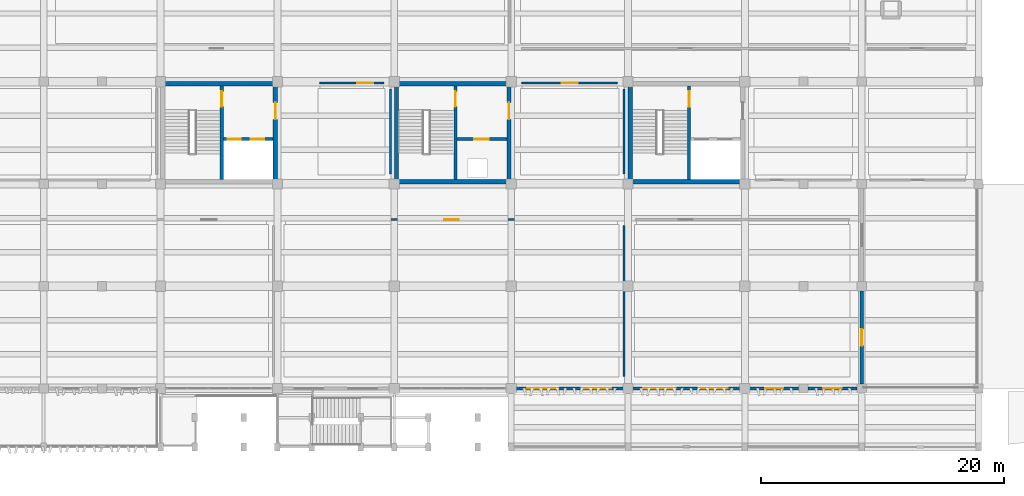
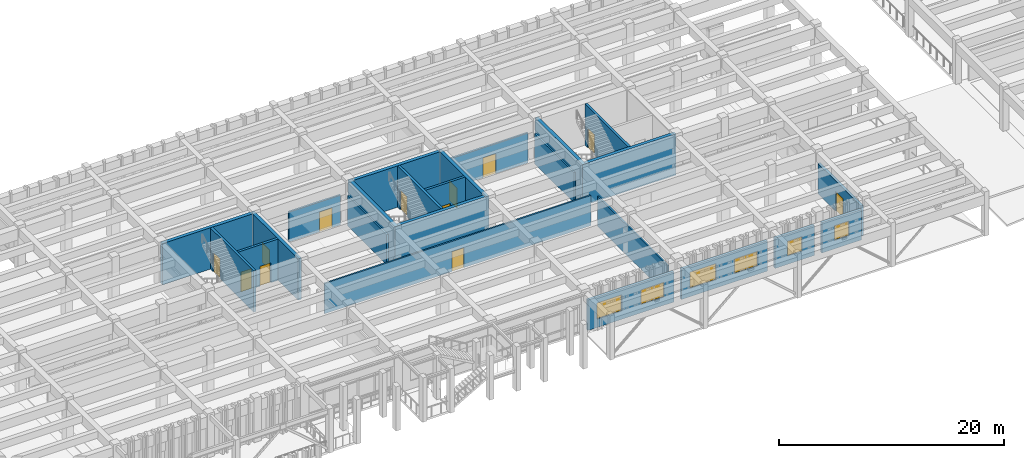
# One storey, part 66 of 86: 24 walls, 12 doors, 6 windows, 18 openings.
"""IFC4 building model written with IfcOpenShell, lengths in metres."""

import ifcopenshell
import ifcopenshell.guid

model = None  # the IFC model being written
_history = None  # IfcOwnerHistory: only IFC2X3 demands one
_inside = {}  # id of a spatial element -> (the spatial element, [elements in it])
_under = {}  # id of a project, library or spatial element -> (it, [spatial elements below it])
_declared = {}  # id of a project -> (the project, [libraries it declares])
_typed = {}  # id of a type object -> (the type object, [elements of that type])
_made_of = {}  # id of a material, layer set ... -> (it, [elements and type objects made of it])


def new_model(schema):
    """Start an empty IFC model of exactly this schema.

    Asked for "IFC4X3", IfcOpenShell would pick the latest addendum, in which some entities
    have other attributes; the version numbers below select the first issue.
    IFC2X3 requires an IfcOwnerHistory on every rooted entity: one is made here for all.
    """
    global model, _history
    if schema == "IFC4X3":
        model = ifcopenshell.file(schema_version=(4, 3, 0, 0))
    else:
        model = ifcopenshell.file(schema=schema)
    _inside.clear()
    _under.clear()
    _declared.clear()
    _typed.clear()
    _made_of.clear()
    _history = None
    if model.schema == "IFC2X3":
        org = make("IfcOrganization", Name="unknown")
        user = make(
            "IfcPersonAndOrganization",
            ThePerson=make("IfcPerson", FamilyName="unknown"),
            TheOrganization=org,
        )
        app = make(
            "IfcApplication",
            ApplicationDeveloper=org,
            Version="unknown",
            ApplicationFullName="unknown",
            ApplicationIdentifier="unknown",
        )
        _history = make(
            "IfcOwnerHistory",
            OwningUser=user,
            OwningApplication=app,
            ChangeAction="ADDED",
            CreationDate=0,
        )
    return model


def make(cls, **values):
    """One entity of the class cls with the attributes given. An attribute that is None is left unset."""
    return model.create_entity(
        cls, **{name: value for name, value in values.items() if value is not None}
    )


def rooted(cls, **values):
    """An entity with a GlobalId (a new one), such as an element, a storey or a relation."""
    return make(cls, GlobalId=ifcopenshell.guid.new(), OwnerHistory=_history, **values)


def si_unit(unit_type, name, prefix=None):
    """IfcSIUnit, for example si_unit("LENGTHUNIT", "METRE", prefix="MILLI")."""
    return make("IfcSIUnit", UnitType=unit_type, Prefix=prefix, Name=name)


def assignment(units):
    """IfcUnitAssignment: the units of a project."""
    return None if units is None else make("IfcUnitAssignment", Units=units)


def point(xyz):
    """IfcCartesianPoint."""
    return None if xyz is None else make("IfcCartesianPoint", Coordinates=xyz)


def direction(xyz):
    """IfcDirection."""
    return None if xyz is None else make("IfcDirection", DirectionRatios=xyz)


def frame(location, z_axis=None, x_axis=None):
    """IfcAxis2Placement3D, a coordinate frame: its origin and axes. An axis left out is left unset."""
    return make(
        "IfcAxis2Placement3D",
        Location=point(location),
        Axis=direction(z_axis),
        RefDirection=direction(x_axis),
    )


def frame_2d(location, x_axis=None):
    """IfcAxis2Placement2D, a coordinate frame in the plane: its origin and x axis."""
    return make(
        "IfcAxis2Placement2D", Location=point(location), RefDirection=direction(x_axis)
    )


def origin():
    """The frame at (0, 0, 0) with its axes left unset."""
    return frame((0.0, 0.0, 0.0))


def place(relative_to, where):
    """IfcLocalPlacement: puts the frame where relative to a parent placement (None: the world)."""
    return make(
        "IfcLocalPlacement", PlacementRelTo=relative_to, RelativePlacement=where
    )


def context(
    kind, dimensions, precision=None, world=None, true_north=None, identifier=None
):
    """IfcGeometricRepresentationContext, for example the 3D "Model" context."""
    return make(
        "IfcGeometricRepresentationContext",
        ContextIdentifier=identifier,
        ContextType=kind,
        CoordinateSpaceDimension=dimensions,
        Precision=precision,
        WorldCoordinateSystem=world,
        TrueNorth=true_north,
    )


def subcontext(parent, identifier, kind, view, scale=None):
    """IfcGeometricRepresentationSubContext, for example "Body" below "Model"."""
    return make(
        "IfcGeometricRepresentationSubContext",
        ContextIdentifier=identifier,
        ContextType=kind,
        ParentContext=parent,
        TargetScale=scale,
        TargetView=view,
    )


def project(units=None, contexts=None):
    """IfcProject with its units and contexts."""
    return rooted(
        "IfcProject",
        Name="project",
        RepresentationContexts=contexts,
        UnitsInContext=assignment(units),
    )


def spatial(cls, under=None, at=None, **own):
    """A site, building, storey or space (cls), placed at a placement, below another one or the project."""
    s = rooted(cls, ObjectPlacement=at, **own)
    if under is not None:
        _under.setdefault(under.id(), (under, []))[1].append(s)
    return s


def profile(cls, at=None, kind="AREA", **sizes):
    """A parametric profile (cls). Its sizes go by their IFC names, for example OverallWidth=200.0."""
    return make(cls, ProfileType=kind, Position=at, **sizes)


def rectangle(**sizes):
    """IfcRectangleProfileDef."""
    return profile("IfcRectangleProfileDef", **sizes)


def extrude(swept, where, along, depth):
    """IfcExtrudedAreaSolid: the profile swept, set in the frame where, extruded along a direction by depth."""
    return make(
        "IfcExtrudedAreaSolid",
        SweptArea=swept,
        Position=where,
        ExtrudedDirection=direction(along),
        Depth=depth,
    )


def shape(context_of_items, identifier, shape_type, items):
    """IfcShapeRepresentation: the items that make up one representation, for example the "Body"."""
    return make(
        "IfcShapeRepresentation",
        ContextOfItems=context_of_items,
        RepresentationIdentifier=identifier,
        RepresentationType=shape_type,
        Items=items,
    )


def material(Name=None, Category=None):
    """IfcMaterial."""
    return make("IfcMaterial", Name=Name, Category=Category)


def layer(
    of_material, thickness, ventilated=None, Name=None, Category=None, Priority=None
):
    """IfcMaterialLayer: one layer of a wall or slab, of a material (None: an air gap)."""
    return make(
        "IfcMaterialLayer",
        Material=of_material,
        LayerThickness=thickness,
        IsVentilated=ventilated,
        Name=Name,
        Category=Category,
        Priority=Priority,
    )


def layer_set(layers, Name=None):
    """IfcMaterialLayerSet."""
    return make("IfcMaterialLayerSet", MaterialLayers=layers, LayerSetName=Name)


def made_of(thing, what):
    """Note that an element or type object is made of a material, layer set ...; save() writes the relation."""
    if what is not None:
        _made_of.setdefault(what.id(), (what, []))[1].append(thing)
    return thing


def type_object(cls, material=None, **own):
    """A type object (cls), such as IfcWallType, which elements share."""
    return made_of(rooted(cls, **own), material)


def element(
    cls,
    number,
    at=None,
    inside=None,
    cuts=None,
    type_object=None,
    material=None,
    context=None,
    identifier="Body",
    shape_type=None,
    held_by="IfcProductDefinitionShape",
    body=None,
    shapes=None,
    **own,
):
    """One element of the class cls, such as IfcWall. Its Tag is "e" and its number.

    at: its placement. inside: the storey or other place that contains it. cuts: it is an
    opening in that element (IfcRelVoidsElement). A single representation is given by context,
    identifier, shape_type and body (its items); several are given by shapes. held_by: the class
    of the entity that holds the representations. save() writes the other relations.
    """
    e = rooted(cls, Tag="e%d" % number, ObjectPlacement=at, **own)
    if body is not None:
        shapes = [shape(context, identifier, shape_type, body)]
    if shapes is not None:
        e.Representation = make(held_by, Representations=shapes)
    if inside is not None:
        _inside.setdefault(inside.id(), (inside, []))[1].append(e)
    if cuts is not None:
        rooted(
            "IfcRelVoidsElement", RelatingBuildingElement=cuts, RelatedOpeningElement=e
        )
    if type_object is not None:
        _typed.setdefault(type_object.id(), (type_object, []))[1].append(e)
    return made_of(e, material)


def fill(opening, filler):
    """IfcRelFillsElement: the door or window that sits in an opening."""
    return rooted(
        "IfcRelFillsElement",
        RelatingOpeningElement=opening,
        RelatedBuildingElement=filler,
    )


def aggregate(whole, parts):
    """IfcRelAggregates: a whole, such as a stair, and the parts it consists of."""
    return rooted("IfcRelAggregates", RelatingObject=whole, RelatedObjects=parts)


def save(model, path):
    """Write the relations noted so far, then the file.

    IfcRelAggregates (storeys below a building ...), IfcRelContainedInSpatialStructure (elements
    in a storey), IfcRelDefinesByType, IfcRelAssociatesMaterial and IfcRelDeclares: one each for
    every whole, place, type object, material and project.
    """
    for whole, parts in _under.values():
        aggregate(whole, parts)
    for where, things in _inside.values():
        rooted(
            "IfcRelContainedInSpatialStructure",
            RelatedElements=things,
            RelatingStructure=where,
        )
    for kind, things in _typed.values():
        rooted("IfcRelDefinesByType", RelatedObjects=things, RelatingType=kind)
    for what, things in _made_of.values():
        rooted("IfcRelAssociatesMaterial", RelatedObjects=things, RelatingMaterial=what)
    for by, libraries in _declared.values():
        rooted("IfcRelDeclares", RelatingContext=by, RelatedDefinitions=libraries)
    model.write(path)


model = new_model("IFC4")

# Units and contexts
model_context = context("Model", 3, precision=1e-05, world=origin(), true_north=direction((0.0, 1.0)))
body_context = subcontext(model_context, "Body", "Model", "MODEL_VIEW")
ifc_project = project(units=[si_unit("LENGTHUNIT", "METRE"), si_unit("AREAUNIT", "SQUARE_METRE"), si_unit("VOLUMEUNIT", "CUBIC_METRE"), si_unit("PLANEANGLEUNIT", "RADIAN"), si_unit("MASSUNIT", "GRAM", prefix="KILO")], contexts=[model_context])

# Site, building, storey
site_placement = place(None, origin())
site = spatial("IfcSite", under=ifc_project, at=site_placement, CompositionType="ELEMENT")
building_placement = place(site_placement, origin())
building = spatial("IfcBuilding", under=site, at=building_placement, Name="Kolvemor Railside Polytechnic", CompositionType="ELEMENT")
storey_placement = place(building_placement, frame((0.0, 0.0, 5.39990234375)))
storey = spatial("IfcBuildingStorey", under=building, at=storey_placement, Name="L01", CompositionType="ELEMENT", Elevation=5.39990234375)

# Wall
ifc_material_1 = material(Name="Concrete C40/50", Category="concrete")
ifc_layer_1 = layer(ifc_material_1, 0.35009765625, Name="WL-CORE-350")
ifc_layer_set_1 = layer_set([ifc_layer_1], Name="Concrete C40/50")
wall_type_1 = type_object("IfcWallType", Name="WL-CORE-350", PredefinedType="SHEAR", material=ifc_layer_set_1)
wall_1_placement = place(storey_placement, frame((67.199951171875, 29.824951171875, 0.0), z_axis=(0.0, 0.0, 1.0), x_axis=(1.0, 0.0, 0.0)))
element("IfcWall", 1, at=wall_1_placement, inside=storey, type_object=wall_type_1, Name="CORE-1 North Core Wall L01", PredefinedType="SHEAR", context=body_context, shape_type="SweptSolid", body=[
    extrude(rectangle(XDim=9.60009765625, YDim=0.35009765625, at=frame_2d((4.800048828125, 0.0))), origin(), (0.0, 0.0, 1.0), 4.47998046875),
])

# Wall, opening, door
wall_2_placement = place(storey_placement, frame((76.625, 21.60009765625, 0.0), z_axis=(0.0, 0.0, 1.0), x_axis=(0.0, 1.0, 0.0)))
wall_2 = element("IfcWall", 2, at=wall_2_placement, inside=storey, type_object=wall_type_1, Name="CORE-1 East Core Wall L01", PredefinedType="SHEAR", context=body_context, shape_type="SweptSolid", body=[
    extrude(rectangle(XDim=8.39990234375, YDim=0.35009765625, at=frame_2d((4.199951171875, 0.0))), origin(), (0.0, 0.0, 1.0), 4.47998046875),
])
opening_1_placement = place(wall_2_placement, frame((5.300048828125, 0.0, 0.0)))
opening_1 = element("IfcOpeningElement", 3, at=opening_1_placement, cuts=wall_2, Name="Opening D-LOB-1-L01", PredefinedType="OPENING", context=body_context, shape_type="SweptSolid", body=[
    extrude(rectangle(XDim=1.39990234375, YDim=2.14990234375, at=frame_2d((0.699951171875, 1.074951171875))), frame((0.0, 0.18505859375, 0.0), z_axis=(0.0, -1.0, 0.0), x_axis=(1.0, 0.0, 0.0)), (0.0, 0.0, 1.0), 0.3701171875),
])
ifc_material_2 = material(Name="Fire-rated hardwood and brushed stainless-steel door", Category="steel")
door_type_1 = type_object("IfcDoorType", Name="DR-FD60-140x215", OperationType="NOTDEFINED", PredefinedType="DOOR", material=ifc_material_2)
door_1_placement = place(opening_1_placement, origin())
door_1 = element("IfcDoor", 4, at=door_1_placement, inside=storey, type_object=door_type_1, Name="Core Lobby Fire Door CORE-1 L01", OperationType="SINGLE_SWING_RIGHT", OverallHeight=2.14990234375, OverallWidth=1.39990234375, PredefinedType="DOOR", context=body_context, shape_type="SweptSolid", body=[
    extrude(rectangle(XDim=1.39990234375, YDim=2.14990234375, at=frame_2d((0.699951171875, 1.074951171875))), frame((0.0, 0.02490234375, 0.0), z_axis=(0.0, -1.0, 0.0), x_axis=(1.0, 0.0, 0.0)), (0.0, 0.0, 1.0), 0.050048828125),
])
fill(opening_1, door_1)

# Walls
wall_3_placement = place(storey_placement, frame((105.60009765625, 21.77490234375, 0.0), z_axis=(0.0, 0.0, 1.0), x_axis=(1.0, 0.0, 0.0)))
element("IfcWall", 5, at=wall_3_placement, inside=storey, type_object=wall_type_1, Name="CORE-2 South Core Wall L01", PredefinedType="SHEAR", context=body_context, shape_type="SweptSolid", body=[
    extrude(rectangle(XDim=9.599853515625, YDim=0.35009765625, at=frame_2d((4.7998046875, 0.0))), origin(), (0.0, 0.0, 1.0), 4.47998046875),
])
wall_4_placement = place(storey_placement, frame((105.77490234375, 21.60009765625, 0.0), z_axis=(0.0, 0.0, 1.0), x_axis=(0.0, 1.0, 0.0)))
element("IfcWall", 6, at=wall_4_placement, inside=storey, type_object=wall_type_1, Name="CORE-2 West Core Wall L01", PredefinedType="SHEAR", context=body_context, shape_type="SweptSolid", body=[
    extrude(rectangle(XDim=8.39990234375, YDim=0.35009765625, at=frame_2d((4.199951171875, 0.0))), origin(), (0.0, 0.0, 1.0), 4.47998046875),
])
for number, where, z_axis, x_axis, name in (
    (7, (86.39990234375, 29.824951171875, 0.0), (0.0, 0.0, 1.0), (1.0, 0.0, 0.0), "CORE-3 North Core Wall L01"),
    (8, (86.39990234375, 21.77490234375, 0.0), (0.0, 0.0, 1.0), (1.0, 0.0, 0.0), "CORE-3 South Core Wall L01"),
):
    element("IfcWall", number, at=place(storey_placement, frame(where, z_axis=z_axis, x_axis=x_axis)), inside=storey, type_object=wall_type_1, Name=name, PredefinedType="SHEAR", context=body_context, shape_type="SweptSolid", body=[
        extrude(rectangle(XDim=9.60009765625, YDim=0.35009765625, at=frame_2d((4.800048828125, 0.0))), origin(), (0.0, 0.0, 1.0), 4.47998046875),
    ])
wall_5_placement = place(storey_placement, frame((86.574951171875, 21.60009765625, 0.0), z_axis=(0.0, 0.0, 1.0), x_axis=(0.0, 1.0, 0.0)))
element("IfcWall", 9, at=wall_5_placement, inside=storey, type_object=wall_type_1, Name="CORE-3 West Core Wall L01", PredefinedType="SHEAR", context=body_context, shape_type="SweptSolid", body=[
    extrude(rectangle(XDim=8.39990234375, YDim=0.35009765625, at=frame_2d((4.199951171875, 0.0))), origin(), (0.0, 0.0, 1.0), 4.47998046875),
])

# Wall, opening, door
wall_6_placement = place(storey_placement, frame((95.824951171875, 21.60009765625, 0.0), z_axis=(0.0, 0.0, 1.0), x_axis=(0.0, 1.0, 0.0)))
wall_6 = element("IfcWall", 10, at=wall_6_placement, inside=storey, type_object=wall_type_1, Name="CORE-3 East Core Wall L01", PredefinedType="SHEAR", context=body_context, shape_type="SweptSolid", body=[
    extrude(rectangle(XDim=8.39990234375, YDim=0.35009765625, at=frame_2d((4.199951171875, 0.0))), origin(), (0.0, 0.0, 1.0), 4.47998046875),
])
opening_2_placement = place(wall_6_placement, frame((5.300048828125, 0.0, 0.0)))
opening_2 = element("IfcOpeningElement", 11, at=opening_2_placement, cuts=wall_6, Name="Opening D-LOB-3-L01", PredefinedType="OPENING", context=body_context, shape_type="SweptSolid", body=[
    extrude(rectangle(XDim=1.39990234375, YDim=2.14990234375, at=frame_2d((0.699951171875, 1.074951171875))), frame((0.0, 0.18505859375, 0.0), z_axis=(0.0, -1.0, 0.0), x_axis=(1.0, 0.0, 0.0)), (0.0, 0.0, 1.0), 0.3701171875),
])
door_2_placement = place(opening_2_placement, origin())
door_2 = element("IfcDoor", 12, at=door_2_placement, inside=storey, type_object=door_type_1, Name="Core Lobby Fire Door CORE-3 L01", OperationType="SINGLE_SWING_RIGHT", OverallHeight=2.14990234375, OverallWidth=1.39990234375, PredefinedType="DOOR", context=body_context, shape_type="SweptSolid", body=[
    extrude(rectangle(XDim=1.39990234375, YDim=2.14990234375, at=frame_2d((0.699951171875, 1.074951171875))), frame((0.0, 0.02490234375, 0.0), z_axis=(0.0, -1.0, 0.0), x_axis=(1.0, 0.0, 0.0)), (0.0, 0.0, 1.0), 0.050048828125),
])
fill(opening_2, door_2)

# Wall, openings, windows
ifc_material_3 = material(Name="Precast concrete C40/50", Category="concrete")
ifc_layer_2 = layer(ifc_material_3, 0.27001953125, Name="WL-EXT-RC-270")
ifc_layer_set_2 = layer_set([ifc_layer_2], Name="Precast concrete C40/50")
wall_type_2 = type_object("IfcWallType", Name="WL-EXT-RC-270", PredefinedType="SOLIDWALL", material=ifc_layer_set_2)
wall_7_placement = place(storey_placement, frame((96.3798828125, 4.800048828125, 0.0), z_axis=(0.0, 0.0, 1.0), x_axis=(1.0, 0.0, 0.0)))
wall_7 = element("IfcWall", 13, at=wall_7_placement, inside=storey, type_object=wall_type_2, Name="Exterior Wall L01-0118", PredefinedType="SOLIDWALL", context=body_context, shape_type="SweptSolid", body=[
    extrude(rectangle(XDim=8.840087890625, YDim=0.27001953125, at=frame_2d((4.419921875, 0.0))), origin(), (0.0, 0.0, 1.0), 3.280029296875),
])
opening_3_placement = place(wall_7_placement, frame((0.93505859375, 0.0, 0.89990234375)))
opening_3 = element("IfcOpeningElement", 14, at=opening_3_placement, cuts=wall_7, Name="Opening WN-M13", PredefinedType="OPENING", context=body_context, shape_type="SweptSolid", body=[
    extrude(rectangle(XDim=2.550048828125, YDim=1.75, at=frame_2d((1.27490234375, 0.875))), frame((0.0, 0.14501953125, 0.0), z_axis=(0.0, -1.0, 0.0), x_axis=(1.0, 0.0, 0.0)), (0.0, 0.0, 1.0), 0.2900390625),
])
opening_4_placement = place(wall_7_placement, frame((5.429931640625, 0.0, 0.89990234375)))
opening_4 = element("IfcOpeningElement", 15, at=opening_4_placement, cuts=wall_7, Name="Opening WN-STU3", PredefinedType="OPENING", context=body_context, shape_type="SweptSolid", body=[
    extrude(rectangle(XDim=2.39990234375, YDim=1.60009765625, at=frame_2d((1.199951171875, 0.800048828125))), frame((0.0, 0.14501953125, 0.0), z_axis=(0.0, -1.0, 0.0), x_axis=(1.0, 0.0, 0.0)), (0.0, 0.0, 1.0), 0.2900390625),
])
ifc_material_4 = material(Name="Hurricane-laminated thermally broken aluminium window", Category="aluminium")
window_type_1 = type_object("IfcWindowType", Name="WN-MOD-255x175", PartitioningType="DOUBLE_PANEL_VERTICAL", PredefinedType="WINDOW", material=ifc_material_4)
window_1_placement = place(opening_3_placement, origin())
window_1 = element("IfcWindow", 16, at=window_1_placement, inside=storey, type_object=window_type_1, Name="Window L01-0124", OverallHeight=1.75, OverallWidth=2.550048828125, PartitioningType="SINGLE_PANEL", PredefinedType="WINDOW", context=body_context, shape_type="SweptSolid", body=[
    extrude(rectangle(XDim=2.550048828125, YDim=1.75, at=frame_2d((1.27490234375, 0.875))), frame((0.0, 0.030029296875, 0.0), z_axis=(0.0, -1.0, 0.0), x_axis=(1.0, 0.0, 0.0)), (0.0, 0.0, 1.0), 0.06005859375),
])
fill(opening_3, window_1)
ifc_material_5 = material(Name="Hurricane-laminated thermally broken aluminium window", Category="aluminium")
window_type_2 = type_object("IfcWindowType", Name="WN-STU-240x160", PartitioningType="DOUBLE_PANEL_VERTICAL", PredefinedType="WINDOW", material=ifc_material_5)
window_2_placement = place(opening_4_placement, origin())
window_2 = element("IfcWindow", 17, at=window_2_placement, inside=storey, type_object=window_type_2, Name="Window L01-0125", OverallHeight=1.60009765625, OverallWidth=2.39990234375, PartitioningType="SINGLE_PANEL", PredefinedType="WINDOW", context=body_context, shape_type="SweptSolid", body=[
    extrude(rectangle(XDim=2.39990234375, YDim=1.60009765625, at=frame_2d((1.199951171875, 0.800048828125))), frame((0.0, 0.030029296875, 0.0), z_axis=(0.0, -1.0, 0.0), x_axis=(1.0, 0.0, 0.0)), (0.0, 0.0, 1.0), 0.06005859375),
])
fill(opening_4, window_2)

wall_8_placement = place(storey_placement, frame((105.97998046875, 4.800048828125, 0.0), z_axis=(0.0, 0.0, 1.0), x_axis=(1.0, 0.0, 0.0)))
wall_8 = element("IfcWall", 18, at=wall_8_placement, inside=storey, type_object=wall_type_2, Name="Exterior Wall L01-0119", PredefinedType="SOLIDWALL", context=body_context, shape_type="SweptSolid", body=[
    extrude(rectangle(XDim=8.840087890625, YDim=0.27001953125, at=frame_2d((4.419921875, 0.0))), origin(), (0.0, 0.0, 1.0), 3.280029296875),
])
opening_5_placement = place(wall_8_placement, frame((0.885009765625, 0.0, 0.89990234375)))
opening_5 = element("IfcOpeningElement", 19, at=opening_5_placement, cuts=wall_8, Name="Opening WN-M14", PredefinedType="OPENING", context=body_context, shape_type="SweptSolid", body=[
    extrude(rectangle(XDim=2.64990234375, YDim=1.75, at=frame_2d((1.324951171875, 0.875))), frame((0.0, 0.14501953125, 0.0), z_axis=(0.0, -1.0, 0.0), x_axis=(1.0, 0.0, 0.0)), (0.0, 0.0, 1.0), 0.2900390625),
])
opening_6_placement = place(wall_8_placement, frame((5.429931640625, 0.0, 0.89990234375)))
opening_6 = element("IfcOpeningElement", 20, at=opening_6_placement, cuts=wall_8, Name="Opening WN-STU3", PredefinedType="OPENING", context=body_context, shape_type="SweptSolid", body=[
    extrude(rectangle(XDim=2.39990234375, YDim=1.60009765625, at=frame_2d((1.199951171875, 0.800048828125))), frame((0.0, 0.14501953125, 0.0), z_axis=(0.0, -1.0, 0.0), x_axis=(1.0, 0.0, 0.0)), (0.0, 0.0, 1.0), 0.2900390625),
])
ifc_material_6 = material(Name="Hurricane-laminated thermally broken aluminium window", Category="aluminium")
window_type_3 = type_object("IfcWindowType", Name="WN-MOD-265x175", PartitioningType="DOUBLE_PANEL_VERTICAL", PredefinedType="WINDOW", material=ifc_material_6)
window_3_placement = place(opening_5_placement, origin())
window_3 = element("IfcWindow", 21, at=window_3_placement, inside=storey, type_object=window_type_3, Name="Window L01-0126", OverallHeight=1.75, OverallWidth=2.64990234375, PartitioningType="SINGLE_PANEL", PredefinedType="WINDOW", context=body_context, shape_type="SweptSolid", body=[
    extrude(rectangle(XDim=2.64990234375, YDim=1.75, at=frame_2d((1.324951171875, 0.875))), frame((0.0, 0.030029296875, 0.0), z_axis=(0.0, -1.0, 0.0), x_axis=(1.0, 0.0, 0.0)), (0.0, 0.0, 1.0), 0.06005859375),
])
fill(opening_5, window_3)
window_4_placement = place(opening_6_placement, origin())
window_4 = element("IfcWindow", 22, at=window_4_placement, inside=storey, type_object=window_type_2, Name="Window L01-0127", OverallHeight=1.60009765625, OverallWidth=2.39990234375, PartitioningType="SINGLE_PANEL", PredefinedType="WINDOW", context=body_context, shape_type="SweptSolid", body=[
    extrude(rectangle(XDim=2.39990234375, YDim=1.60009765625, at=frame_2d((1.199951171875, 0.800048828125))), frame((0.0, 0.030029296875, 0.0), z_axis=(0.0, -1.0, 0.0), x_axis=(1.0, 0.0, 0.0)), (0.0, 0.0, 1.0), 0.06005859375),
])
fill(opening_6, window_4)

# Wall, opening, window
wall_9_placement = place(storey_placement, frame((115.580078125, 4.800048828125, 0.0), z_axis=(0.0, 0.0, 1.0), x_axis=(1.0, 0.0, 0.0)))
wall_9 = element("IfcWall", 23, at=wall_9_placement, inside=storey, type_object=wall_type_2, Name="Exterior Wall L01-0120", PredefinedType="SOLIDWALL", context=body_context, shape_type="SweptSolid", body=[
    extrude(rectangle(XDim=4.0400390625, YDim=0.27001953125, at=frame_2d((2.02001953125, 0.0))), origin(), (0.0, 0.0, 1.0), 3.280029296875),
])
opening_7_placement = place(wall_9_placement, frame((1.27001953125, 0.0, 0.89990234375)))
opening_7 = element("IfcOpeningElement", 24, at=opening_7_placement, cuts=wall_9, Name="Opening WN-STU4", PredefinedType="OPENING", context=body_context, shape_type="SweptSolid", body=[
    extrude(rectangle(XDim=1.5, YDim=1.60009765625, at=frame_2d((0.75, 0.800048828125))), frame((0.0, 0.14501953125, 0.0), z_axis=(0.0, -1.0, 0.0), x_axis=(1.0, 0.0, 0.0)), (0.0, 0.0, 1.0), 0.2900390625),
])
ifc_material_7 = material(Name="Hurricane-laminated thermally broken aluminium window", Category="aluminium")
window_type_4 = type_object("IfcWindowType", Name="WN-STU-150x160", PartitioningType="SINGLE_PANEL", PredefinedType="WINDOW", material=ifc_material_7)
window_5_placement = place(opening_7_placement, origin())
window_5 = element("IfcWindow", 25, at=window_5_placement, inside=storey, type_object=window_type_4, Name="Window L01-0128", OverallHeight=1.60009765625, OverallWidth=1.5, PartitioningType="SINGLE_PANEL", PredefinedType="WINDOW", context=body_context, shape_type="SweptSolid", body=[
    extrude(rectangle(XDim=1.5, YDim=1.60009765625, at=frame_2d((0.75, 0.800048828125))), frame((0.0, 0.030029296875, 0.0), z_axis=(0.0, -1.0, 0.0), x_axis=(1.0, 0.0, 0.0)), (0.0, 0.0, 1.0), 0.06005859375),
])
fill(opening_7, window_5)

wall_10_placement = place(storey_placement, frame((120.3798828125, 4.800048828125, 0.0), z_axis=(0.0, 0.0, 1.0), x_axis=(1.0, 0.0, 0.0)))
wall_10 = element("IfcWall", 26, at=wall_10_placement, inside=storey, type_object=wall_type_2, Name="Exterior Wall L01-0121", PredefinedType="SOLIDWALL", context=body_context, shape_type="SweptSolid", body=[
    extrude(rectangle(XDim=4.0400390625, YDim=0.27001953125, at=frame_2d((2.02001953125, 0.0))), origin(), (0.0, 0.0, 1.0), 3.280029296875),
])
opening_8_placement = place(wall_10_placement, frame((1.27001953125, 0.0, 0.89990234375)))
opening_8 = element("IfcOpeningElement", 27, at=opening_8_placement, cuts=wall_10, Name="Opening WN-STU4", PredefinedType="OPENING", context=body_context, shape_type="SweptSolid", body=[
    extrude(rectangle(XDim=1.5, YDim=1.60009765625, at=frame_2d((0.75, 0.800048828125))), frame((0.0, 0.14501953125, 0.0), z_axis=(0.0, -1.0, 0.0), x_axis=(1.0, 0.0, 0.0)), (0.0, 0.0, 1.0), 0.2900390625),
])
window_6_placement = place(opening_8_placement, origin())
window_6 = element("IfcWindow", 28, at=window_6_placement, inside=storey, type_object=window_type_4, Name="Window L01-0129", OverallHeight=1.60009765625, OverallWidth=1.5, PartitioningType="SINGLE_PANEL", PredefinedType="WINDOW", context=body_context, shape_type="SweptSolid", body=[
    extrude(rectangle(XDim=1.5, YDim=1.60009765625, at=frame_2d((0.75, 0.800048828125))), frame((0.0, 0.030029296875, 0.0), z_axis=(0.0, -1.0, 0.0), x_axis=(1.0, 0.0, 0.0)), (0.0, 0.0, 1.0), 0.06005859375),
])
fill(opening_8, window_6)

# Wall, opening, door
wall_11_placement = place(storey_placement, frame((124.800048828125, 5.179931640625, 0.0), z_axis=(0.0, 0.0, 1.0), x_axis=(0.0, 1.0, 0.0)))
wall_11 = element("IfcWall", 29, at=wall_11_placement, inside=storey, type_object=wall_type_2, Name="Exterior Wall L01-0161", PredefinedType="SOLIDWALL", context=body_context, shape_type="SweptSolid", body=[
    extrude(rectangle(XDim=7.64013671875, YDim=0.27001953125, at=frame_2d((3.820068359375, 0.0))), origin(), (0.0, 0.0, 1.0), 3.280029296875),
])
opening_9_placement = place(wall_11_placement, frame((3.14501953125, 0.0, 0.0)))
opening_9 = element("IfcOpeningElement", 30, at=opening_9_placement, cuts=wall_11, Name="Opening D-TER-L01SE", PredefinedType="OPENING", context=body_context, shape_type="SweptSolid", body=[
    extrude(rectangle(XDim=1.35009765625, YDim=2.14990234375, at=frame_2d((0.675048828125, 1.074951171875))), frame((0.0, 0.14501953125, 0.0), z_axis=(0.0, -1.0, 0.0), x_axis=(1.0, 0.0, 0.0)), (0.0, 0.0, 1.0), 0.2900390625),
])
ifc_material_8 = material(Name="Marine-grade thermally broken aluminium and laminated glass door", Category="aluminium")
door_type_2 = type_object("IfcDoorType", Name="DR-TER-135x215", OperationType="NOTDEFINED", PredefinedType="DOOR", material=ifc_material_8)
door_3_placement = place(opening_9_placement, origin())
door_3 = element("IfcDoor", 31, at=door_3_placement, inside=storey, type_object=door_type_2, Name="Exterior Door D-TER-L01SE", OperationType="SINGLE_SWING_RIGHT", OverallHeight=2.14990234375, OverallWidth=1.35009765625, PredefinedType="DOOR", context=body_context, shape_type="SweptSolid", body=[
    extrude(rectangle(XDim=1.35009765625, YDim=2.14990234375, at=frame_2d((0.675048828125, 1.074951171875))), frame((0.0, 0.02490234375, 0.0), z_axis=(0.0, -1.0, 0.0), x_axis=(1.0, 0.0, 0.0)), (0.0, 0.0, 1.0), 0.050048828125),
])
fill(opening_9, door_3)

ifc_material_9 = material(Name="Fire-rated laboratory corridor partition")
ifc_layer_3 = layer(ifc_material_9, 0.1650390625, Name="WL-PART-165")
ifc_layer_set_3 = layer_set([ifc_layer_3], Name="Fire-rated laboratory corridor partition")
wall_type_3 = type_object("IfcWallType", Name="WL-PART-165", PredefinedType="PARTITIONING", material=ifc_layer_set_3)
wall_12_placement = place(storey_placement, frame((77.449951171875, 18.679931640625, 0.0), z_axis=(0.0, 0.0, 1.0), x_axis=(1.0, 0.0, 0.0)))
wall_12 = element("IfcWall", 32, at=wall_12_placement, inside=storey, type_object=wall_type_3, Name="Partition Wall L01-0104", PredefinedType="PARTITIONING", context=body_context, shape_type="SweptSolid", body=[
    extrude(rectangle(XDim=27.300048828125, YDim=0.1650390625, at=frame_2d((13.64990234375, 0.0))), origin(), (0.0, 0.0, 1.0), 3.260009765625),
])
opening_10_placement = place(wall_12_placement, frame((13.0400390625, 0.0, 0.0)))
opening_10 = element("IfcOpeningElement", 33, at=opening_10_placement, cuts=wall_12, Name="Opening D-01059", PredefinedType="OPENING", context=body_context, shape_type="SweptSolid", body=[
    extrude(rectangle(XDim=1.219970703125, YDim=2.14990234375, at=frame_2d((0.60986328125, 1.074951171875))), frame((0.0, 0.092529296875, 0.0), z_axis=(0.0, -1.0, 0.0), x_axis=(1.0, 0.0, 0.0)), (0.0, 0.0, 1.0), 0.18505859375),
])
ifc_material_10 = material(Name="Fire-rated hardwood and brushed stainless-steel door", Category="steel")
door_type_3 = type_object("IfcDoorType", Name="DR-LAB-122x215", OperationType="NOTDEFINED", PredefinedType="DOOR", material=ifc_material_10)
door_4_placement = place(opening_10_placement, origin())
door_4 = element("IfcDoor", 34, at=door_4_placement, inside=storey, type_object=door_type_3, Name="Room Door D-01059 (Bioprocess and Marine Biology Laboratory)", OperationType="SINGLE_SWING_RIGHT", OverallHeight=2.14990234375, OverallWidth=1.219970703125, PredefinedType="DOOR", context=body_context, shape_type="SweptSolid", body=[
    extrude(rectangle(XDim=1.219970703125, YDim=2.14990234375, at=frame_2d((0.60986328125, 1.074951171875))), frame((0.0, 0.02490234375, 0.0), z_axis=(0.0, -1.0, 0.0), x_axis=(1.0, 0.0, 0.0)), (0.0, 0.0, 1.0), 0.050048828125),
])
fill(opening_10, door_4)

# Wall
wall_13_placement = place(storey_placement, frame((105.280029296875, 5.800048828125, 0.0), z_axis=(0.0, 0.0, 1.0), x_axis=(0.0, 1.0, 0.0)))
element("IfcWall", 35, at=wall_13_placement, inside=storey, type_object=wall_type_3, Name="Demising Partition L01-0105", PredefinedType="PARTITIONING", context=body_context, shape_type="SweptSolid", body=[
    extrude(rectangle(XDim=12.39990234375, YDim=0.1650390625, at=frame_2d((6.199951171875, 0.0))), origin(), (0.0, 0.0, 1.0), 3.260009765625),
])

# Wall, opening, door
wall_14_placement = place(storey_placement, frame((80.25, 29.8798828125, 0.0), z_axis=(0.0, 0.0, 1.0), x_axis=(1.0, 0.0, 0.0)))
wall_14 = element("IfcWall", 36, at=wall_14_placement, inside=storey, type_object=wall_type_3, Name="Partition Wall L01-0109", PredefinedType="PARTITIONING", context=body_context, shape_type="SweptSolid", body=[
    extrude(rectangle(XDim=5.300048828125, YDim=0.1650390625, at=frame_2d((2.64990234375, 0.0))), origin(), (0.0, 0.0, 1.0), 3.260009765625),
])
opening_11_placement = place(wall_14_placement, frame((3.1201171875, 0.0, 0.0)))
opening_11 = element("IfcOpeningElement", 37, at=opening_11_placement, cuts=wall_14, Name="Opening D-01062", PredefinedType="OPENING", context=body_context, shape_type="SweptSolid", body=[
    extrude(rectangle(XDim=1.300048828125, YDim=2.14990234375, at=frame_2d((0.64990234375, 1.074951171875))), frame((0.0, 0.092529296875, 0.0), z_axis=(0.0, -1.0, 0.0), x_axis=(1.0, 0.0, 0.0)), (0.0, 0.0, 1.0), 0.18505859375),
])
ifc_material_11 = material(Name="Fire-rated hardwood and brushed stainless-steel door", Category="steel")
door_type_4 = type_object("IfcDoorType", Name="DR-LAB-130x215", OperationType="NOTDEFINED", PredefinedType="DOOR", material=ifc_material_11)
door_5_placement = place(opening_11_placement, origin())
door_5 = element("IfcDoor", 38, at=door_5_placement, inside=storey, type_object=door_type_4, Name="Room Door D-01062 (Fluid Mechanics Teaching Laboratory)", OperationType="SINGLE_SWING_LEFT", OverallHeight=2.14990234375, OverallWidth=1.300048828125, PredefinedType="DOOR", context=body_context, shape_type="SweptSolid", body=[
    extrude(rectangle(XDim=1.300048828125, YDim=2.14990234375, at=frame_2d((0.64990234375, 1.074951171875))), frame((0.0, 0.02490234375, 0.0), z_axis=(0.0, -1.0, 0.0), x_axis=(1.0, 0.0, 0.0)), (0.0, 0.0, 1.0), 0.050048828125),
])
fill(opening_11, door_5)

# Wall
wall_15_placement = place(storey_placement, frame((86.080078125, 22.39990234375, 0.0), z_axis=(0.0, 0.0, 1.0), x_axis=(0.0, 1.0, 0.0)))
element("IfcWall", 39, at=wall_15_placement, inside=storey, type_object=wall_type_3, Name="Demising Partition L01-0110", PredefinedType="PARTITIONING", context=body_context, shape_type="SweptSolid", body=[
    extrude(rectangle(XDim=7.0, YDim=0.1650390625, at=frame_2d((3.5, 0.0))), origin(), (0.0, 0.0, 1.0), 3.260009765625),
])

# Wall, opening, door
wall_16_placement = place(storey_placement, frame((96.85009765625, 29.8798828125, 0.0), z_axis=(0.0, 0.0, 1.0), x_axis=(1.0, 0.0, 0.0)))
wall_16 = element("IfcWall", 40, at=wall_16_placement, inside=storey, type_object=wall_type_3, Name="Partition Wall L01-0111", PredefinedType="PARTITIONING", context=body_context, shape_type="SweptSolid", body=[
    extrude(rectangle(XDim=7.89990234375, YDim=0.1650390625, at=frame_2d((3.949951171875, 0.0))), origin(), (0.0, 0.0, 1.0), 3.260009765625),
])
opening_12_placement = place(wall_16_placement, frame((3.300048828125, 0.0, 0.0)))
opening_12 = element("IfcOpeningElement", 41, at=opening_12_placement, cuts=wall_16, Name="Opening D-01063", PredefinedType="OPENING", context=body_context, shape_type="SweptSolid", body=[
    extrude(rectangle(XDim=1.300048828125, YDim=2.14990234375, at=frame_2d((0.64990234375, 1.074951171875))), frame((0.0, 0.092529296875, 0.0), z_axis=(0.0, -1.0, 0.0), x_axis=(1.0, 0.0, 0.0)), (0.0, 0.0, 1.0), 0.18505859375),
])
door_6_placement = place(opening_12_placement, origin())
door_6 = element("IfcDoor", 42, at=door_6_placement, inside=storey, type_object=door_type_4, Name="Room Door D-01063 (Control Systems Laboratory)", OperationType="SINGLE_SWING_RIGHT", OverallHeight=2.14990234375, OverallWidth=1.300048828125, PredefinedType="DOOR", context=body_context, shape_type="SweptSolid", body=[
    extrude(rectangle(XDim=1.300048828125, YDim=2.14990234375, at=frame_2d((0.64990234375, 1.074951171875))), frame((0.0, 0.02490234375, 0.0), z_axis=(0.0, -1.0, 0.0), x_axis=(1.0, 0.0, 0.0)), (0.0, 0.0, 1.0), 0.050048828125),
])
fill(opening_12, door_6)

# Wall
wall_17_placement = place(storey_placement, frame((105.280029296875, 22.39990234375, 0.0), z_axis=(0.0, 0.0, 1.0), x_axis=(0.0, 1.0, 0.0)))
element("IfcWall", 43, at=wall_17_placement, inside=storey, type_object=wall_type_3, Name="Demising Partition L01-0112", PredefinedType="PARTITIONING", context=body_context, shape_type="SweptSolid", body=[
    extrude(rectangle(XDim=7.0, YDim=0.1650390625, at=frame_2d((3.5, 0.0))), origin(), (0.0, 0.0, 1.0), 3.260009765625),
])

# Wall, opening, door
ifc_material_12 = material(Name="Concrete C40/50", Category="concrete")
ifc_layer_4 = layer(ifc_material_12, 0.25, Name="WL-SHFT-250")
ifc_layer_set_4 = layer_set([ifc_layer_4], Name="Concrete C40/50")
wall_type_4 = type_object("IfcWallType", Name="WL-SHFT-250", PredefinedType="SHEAR", material=ifc_layer_set_4)
wall_18_placement = place(storey_placement, frame((72.22509765625, 29.64990234375, 0.0), z_axis=(0.0, 0.0, 1.0), x_axis=(0.0, -1.0, 0.0)))
wall_18 = element("IfcWall", 44, at=wall_18_placement, inside=storey, type_object=wall_type_4, Name="CORE-1 Stair-Lobby Divider Wall L01", PredefinedType="SHEAR", context=body_context, shape_type="SweptSolid", body=[
    extrude(rectangle(XDim=7.699951171875, YDim=0.25, at=frame_2d((3.85009765625, 0.0))), origin(), (0.0, 0.0, 1.0), 4.47998046875),
])
opening_13_placement = place(wall_18_placement, frame((0.449951171875, 0.0, 0.0)))
opening_13 = element("IfcOpeningElement", 45, at=opening_13_placement, cuts=wall_18, Name="Opening D-ST-1-L01", PredefinedType="OPENING", context=body_context, shape_type="SweptSolid", body=[
    extrude(rectangle(XDim=1.25, YDim=2.14990234375, at=frame_2d((0.625, 1.074951171875))), frame((0.0, 0.135009765625, 0.0), z_axis=(0.0, -1.0, 0.0), x_axis=(1.0, 0.0, 0.0)), (0.0, 0.0, 1.0), 0.27001953125),
])
ifc_material_13 = material(Name="Fire-rated hardwood and brushed stainless-steel door", Category="steel")
door_type_5 = type_object("IfcDoorType", Name="DR-FD90-125x215", OperationType="NOTDEFINED", PredefinedType="DOOR", material=ifc_material_13)
door_7_placement = place(opening_13_placement, origin())
door_7 = element("IfcDoor", 46, at=door_7_placement, inside=storey, type_object=door_type_5, Name="Stair Fire Door ST-1 L01", OperationType="SINGLE_SWING_LEFT", OverallHeight=2.14990234375, OverallWidth=1.25, PredefinedType="DOOR", context=body_context, shape_type="SweptSolid", body=[
    extrude(rectangle(XDim=1.25, YDim=2.14990234375, at=frame_2d((0.625, 1.074951171875))), frame((0.0, 0.02490234375, 0.0), z_axis=(0.0, -1.0, 0.0), x_axis=(1.0, 0.0, 0.0)), (0.0, 0.0, 1.0), 0.050048828125),
])
fill(opening_13, door_7)

# Wall, openings, doors
wall_19_placement = place(storey_placement, frame((72.35009765625, 25.27490234375, 0.0), z_axis=(0.0, 0.0, 1.0), x_axis=(1.0, 0.0, 0.0)))
wall_19 = element("IfcWall", 47, at=wall_19_placement, inside=storey, type_object=wall_type_4, Name="CORE-1 Lift Shaft Front Wall L01", PredefinedType="SHEAR", context=body_context, shape_type="SweptSolid", body=[
    extrude(rectangle(XDim=4.099853515625, YDim=0.25, at=frame_2d((2.0498046875, 0.0))), origin(), (0.0, 0.0, 1.0), 4.47998046875),
])
opening_14_placement = place(wall_19_placement, frame((0.35009765625, 0.0, 0.0)))
opening_14 = element("IfcOpeningElement", 48, at=opening_14_placement, cuts=wall_19, Name="Opening LD-FL-1-L01", PredefinedType="OPENING", context=body_context, shape_type="SweptSolid", body=[
    extrude(rectangle(XDim=1.10009765625, YDim=2.14990234375, at=frame_2d((0.550048828125, 1.074951171875))), frame((0.0, 0.135009765625, 0.0), z_axis=(0.0, -1.0, 0.0), x_axis=(1.0, 0.0, 0.0)), (0.0, 0.0, 1.0), 0.27001953125),
])
opening_15_placement = place(wall_19_placement, frame((2.25, 0.0, 0.0)))
opening_15 = element("IfcOpeningElement", 49, at=opening_15_placement, cuts=wall_19, Name="Opening LD-PL-1-L01", PredefinedType="OPENING", context=body_context, shape_type="SweptSolid", body=[
    extrude(rectangle(XDim=1.10009765625, YDim=2.14990234375, at=frame_2d((0.550048828125, 1.074951171875))), frame((0.0, 0.135009765625, 0.0), z_axis=(0.0, -1.0, 0.0), x_axis=(1.0, 0.0, 0.0)), (0.0, 0.0, 1.0), 0.27001953125),
])
ifc_material_14 = material(Name="Fire-rated hardwood and brushed stainless-steel door", Category="steel")
door_type_6 = type_object("IfcDoorType", Name="DR-LIFT-110x215", OperationType="SLIDING_TO_LEFT", PredefinedType="DOOR", material=ifc_material_14)
door_8_placement = place(opening_14_placement, origin())
door_8 = element("IfcDoor", 50, at=door_8_placement, inside=storey, type_object=door_type_6, Name="Lift Landing Sliding Door FL-1 L01", OperationType="SLIDING_TO_LEFT", OverallHeight=2.14990234375, OverallWidth=1.10009765625, PredefinedType="DOOR", context=body_context, shape_type="SweptSolid", body=[
    extrude(rectangle(XDim=1.10009765625, YDim=2.14990234375, at=frame_2d((0.550048828125, 1.074951171875))), frame((0.0, 0.02490234375, 0.0), z_axis=(0.0, -1.0, 0.0), x_axis=(1.0, 0.0, 0.0)), (0.0, 0.0, 1.0), 0.050048828125),
])
fill(opening_14, door_8)
door_9_placement = place(opening_15_placement, origin())
door_9 = element("IfcDoor", 51, at=door_9_placement, inside=storey, type_object=door_type_6, Name="Lift Landing Sliding Door PL-1 L01", OperationType="SLIDING_TO_LEFT", OverallHeight=2.14990234375, OverallWidth=1.10009765625, PredefinedType="DOOR", context=body_context, shape_type="SweptSolid", body=[
    extrude(rectangle(XDim=1.10009765625, YDim=2.14990234375, at=frame_2d((0.550048828125, 1.074951171875))), frame((0.0, 0.02490234375, 0.0), z_axis=(0.0, -1.0, 0.0), x_axis=(1.0, 0.0, 0.0)), (0.0, 0.0, 1.0), 0.050048828125),
])
fill(opening_15, door_9)

# Wall, opening, door
wall_20_placement = place(storey_placement, frame((110.625, 29.64990234375, 0.0), z_axis=(0.0, 0.0, 1.0), x_axis=(0.0, -1.0, 0.0)))
wall_20 = element("IfcWall", 52, at=wall_20_placement, inside=storey, type_object=wall_type_4, Name="CORE-2 Stair-Lobby Divider Wall L01", PredefinedType="SHEAR", context=body_context, shape_type="SweptSolid", body=[
    extrude(rectangle(XDim=7.699951171875, YDim=0.25, at=frame_2d((3.85009765625, 0.0))), origin(), (0.0, 0.0, 1.0), 4.47998046875),
])
opening_16_placement = place(wall_20_placement, frame((0.449951171875, 0.0, 0.0)))
opening_16 = element("IfcOpeningElement", 53, at=opening_16_placement, cuts=wall_20, Name="Opening D-ST-2-L01", PredefinedType="OPENING", context=body_context, shape_type="SweptSolid", body=[
    extrude(rectangle(XDim=1.25, YDim=2.14990234375, at=frame_2d((0.625, 1.074951171875))), frame((0.0, 0.135009765625, 0.0), z_axis=(0.0, -1.0, 0.0), x_axis=(1.0, 0.0, 0.0)), (0.0, 0.0, 1.0), 0.27001953125),
])
door_10_placement = place(opening_16_placement, origin())
door_10 = element("IfcDoor", 54, at=door_10_placement, inside=storey, type_object=door_type_5, Name="Stair Fire Door ST-2 L01", OperationType="SINGLE_SWING_RIGHT", OverallHeight=2.14990234375, OverallWidth=1.25, PredefinedType="DOOR", context=body_context, shape_type="SweptSolid", body=[
    extrude(rectangle(XDim=1.25, YDim=2.14990234375, at=frame_2d((0.625, 1.074951171875))), frame((0.0, 0.02490234375, 0.0), z_axis=(0.0, -1.0, 0.0), x_axis=(1.0, 0.0, 0.0)), (0.0, 0.0, 1.0), 0.050048828125),
])
fill(opening_16, door_10)

wall_21_placement = place(storey_placement, frame((91.425048828125, 29.64990234375, 0.0), z_axis=(0.0, 0.0, 1.0), x_axis=(0.0, -1.0, 0.0)))
wall_21 = element("IfcWall", 55, at=wall_21_placement, inside=storey, type_object=wall_type_4, Name="CORE-3 Stair-Lobby Divider Wall L01", PredefinedType="SHEAR", context=body_context, shape_type="SweptSolid", body=[
    extrude(rectangle(XDim=7.699951171875, YDim=0.25, at=frame_2d((3.85009765625, 0.0))), origin(), (0.0, 0.0, 1.0), 4.47998046875),
])
opening_17_placement = place(wall_21_placement, frame((0.449951171875, 0.0, 0.0)))
opening_17 = element("IfcOpeningElement", 56, at=opening_17_placement, cuts=wall_21, Name="Opening D-ST-3-L01", PredefinedType="OPENING", context=body_context, shape_type="SweptSolid", body=[
    extrude(rectangle(XDim=1.25, YDim=2.14990234375, at=frame_2d((0.625, 1.074951171875))), frame((0.0, 0.135009765625, 0.0), z_axis=(0.0, -1.0, 0.0), x_axis=(1.0, 0.0, 0.0)), (0.0, 0.0, 1.0), 0.27001953125),
])
door_11_placement = place(opening_17_placement, origin())
door_11 = element("IfcDoor", 57, at=door_11_placement, inside=storey, type_object=door_type_5, Name="Stair Fire Door ST-3 L01", OperationType="SINGLE_SWING_RIGHT", OverallHeight=2.14990234375, OverallWidth=1.25, PredefinedType="DOOR", context=body_context, shape_type="SweptSolid", body=[
    extrude(rectangle(XDim=1.25, YDim=2.14990234375, at=frame_2d((0.625, 1.074951171875))), frame((0.0, 0.02490234375, 0.0), z_axis=(0.0, -1.0, 0.0), x_axis=(1.0, 0.0, 0.0)), (0.0, 0.0, 1.0), 0.050048828125),
])
fill(opening_17, door_11)

wall_22_placement = place(storey_placement, frame((91.550048828125, 25.27490234375, 0.0), z_axis=(0.0, 0.0, 1.0), x_axis=(1.0, 0.0, 0.0)))
wall_22 = element("IfcWall", 58, at=wall_22_placement, inside=storey, type_object=wall_type_4, Name="CORE-3 Lift Shaft Front Wall L01", PredefinedType="SHEAR", context=body_context, shape_type="SweptSolid", body=[
    extrude(rectangle(XDim=4.099853515625, YDim=0.25, at=frame_2d((2.0498046875, 0.0))), origin(), (0.0, 0.0, 1.0), 4.47998046875),
])
opening_18_placement = place(wall_22_placement, frame((1.39990234375, 0.0, 0.0)))
opening_18 = element("IfcOpeningElement", 59, at=opening_18_placement, cuts=wall_22, Name="Opening D-RSR-3-L01", PredefinedType="OPENING", context=body_context, shape_type="SweptSolid", body=[
    extrude(rectangle(XDim=1.199951171875, YDim=2.14990234375, at=frame_2d((0.60009765625, 1.074951171875))), frame((0.0, 0.135009765625, 0.0), z_axis=(0.0, -1.0, 0.0), x_axis=(1.0, 0.0, 0.0)), (0.0, 0.0, 1.0), 0.27001953125),
])
ifc_material_15 = material(Name="Fire-rated hardwood and brushed stainless-steel door", Category="steel")
door_type_7 = type_object("IfcDoorType", Name="DR-FD60-120x215", OperationType="NOTDEFINED", PredefinedType="DOOR", material=ifc_material_15)
door_12_placement = place(opening_18_placement, origin())
door_12 = element("IfcDoor", 60, at=door_12_placement, inside=storey, type_object=door_type_7, Name="Riser Fire Door CORE-3 L01", OperationType="SINGLE_SWING_LEFT", OverallHeight=2.14990234375, OverallWidth=1.199951171875, PredefinedType="DOOR", context=body_context, shape_type="SweptSolid", body=[
    extrude(rectangle(XDim=1.199951171875, YDim=2.14990234375, at=frame_2d((0.60009765625, 1.074951171875))), frame((0.0, 0.02490234375, 0.0), z_axis=(0.0, -1.0, 0.0), x_axis=(1.0, 0.0, 0.0)), (0.0, 0.0, 1.0), 0.050048828125),
])
fill(opening_18, door_12)

save(model, "model.ifc")
